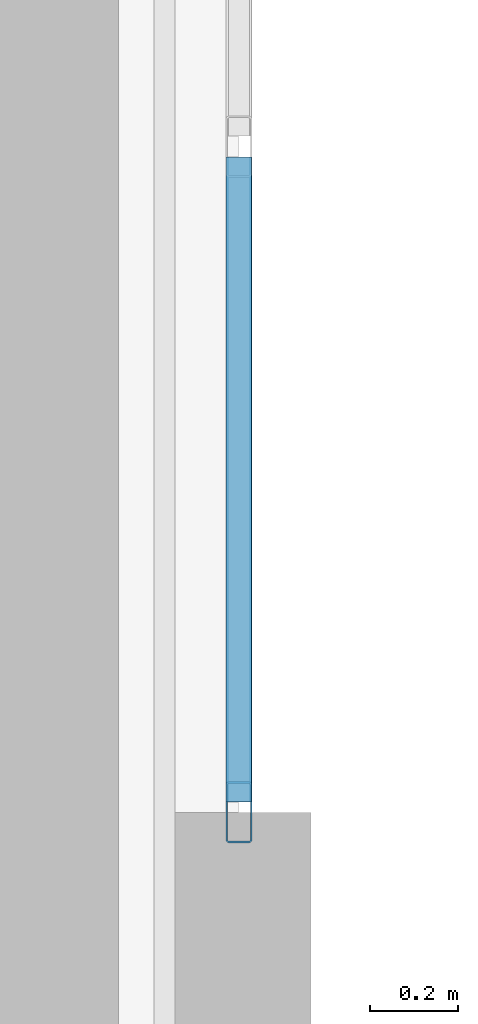
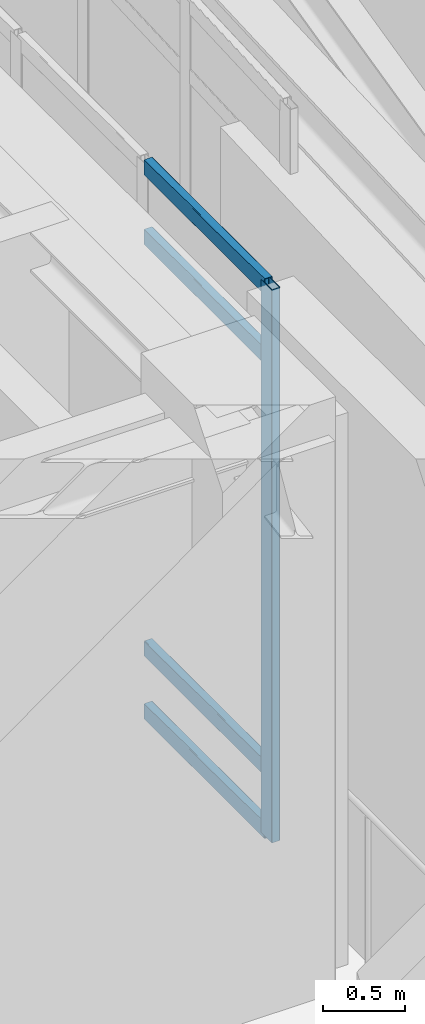
# One storey, part 4 of 19: 5 members, 1 element without a shape of its own.
"""IFC4 building model written with IfcOpenShell, lengths in metres."""

import ifcopenshell
import ifcopenshell.guid

model = None  # the IFC model being written
_history = None  # IfcOwnerHistory: only IFC2X3 demands one
_inside = {}  # id of a spatial element -> (the spatial element, [elements in it])
_under = {}  # id of a project, library or spatial element -> (it, [spatial elements below it])
_declared = {}  # id of a project -> (the project, [libraries it declares])
_typed = {}  # id of a type object -> (the type object, [elements of that type])
_made_of = {}  # id of a material, layer set ... -> (it, [elements and type objects made of it])


def new_model(schema):
    """Start an empty IFC model of exactly this schema.

    Asked for "IFC4X3", IfcOpenShell would pick the latest addendum, in which some entities
    have other attributes; the version numbers below select the first issue.
    IFC2X3 requires an IfcOwnerHistory on every rooted entity: one is made here for all.
    """
    global model, _history
    if schema == "IFC4X3":
        model = ifcopenshell.file(schema_version=(4, 3, 0, 0))
    else:
        model = ifcopenshell.file(schema=schema)
    _inside.clear()
    _under.clear()
    _declared.clear()
    _typed.clear()
    _made_of.clear()
    _history = None
    if model.schema == "IFC2X3":
        org = make("IfcOrganization", Name="unknown")
        user = make(
            "IfcPersonAndOrganization",
            ThePerson=make("IfcPerson", FamilyName="unknown"),
            TheOrganization=org,
        )
        app = make(
            "IfcApplication",
            ApplicationDeveloper=org,
            Version="unknown",
            ApplicationFullName="unknown",
            ApplicationIdentifier="unknown",
        )
        _history = make(
            "IfcOwnerHistory",
            OwningUser=user,
            OwningApplication=app,
            ChangeAction="ADDED",
            CreationDate=0,
        )
    return model


def make(cls, **values):
    """One entity of the class cls with the attributes given. An attribute that is None is left unset."""
    return model.create_entity(
        cls, **{name: value for name, value in values.items() if value is not None}
    )


def rooted(cls, **values):
    """An entity with a GlobalId (a new one), such as an element, a storey or a relation."""
    return make(cls, GlobalId=ifcopenshell.guid.new(), OwnerHistory=_history, **values)


def si_unit(unit_type, name, prefix=None):
    """IfcSIUnit, for example si_unit("LENGTHUNIT", "METRE", prefix="MILLI")."""
    return make("IfcSIUnit", UnitType=unit_type, Prefix=prefix, Name=name)


def assignment(units):
    """IfcUnitAssignment: the units of a project."""
    return None if units is None else make("IfcUnitAssignment", Units=units)


def point(xyz):
    """IfcCartesianPoint."""
    return None if xyz is None else make("IfcCartesianPoint", Coordinates=xyz)


def direction(xyz):
    """IfcDirection."""
    return None if xyz is None else make("IfcDirection", DirectionRatios=xyz)


def frame(location, z_axis=None, x_axis=None):
    """IfcAxis2Placement3D, a coordinate frame: its origin and axes. An axis left out is left unset."""
    return make(
        "IfcAxis2Placement3D",
        Location=point(location),
        Axis=direction(z_axis),
        RefDirection=direction(x_axis),
    )


def frame_2d(location, x_axis=None):
    """IfcAxis2Placement2D, a coordinate frame in the plane: its origin and x axis."""
    return make(
        "IfcAxis2Placement2D", Location=point(location), RefDirection=direction(x_axis)
    )


def origin():
    """The frame at (0, 0, 0) with its axes left unset."""
    return frame((0.0, 0.0, 0.0))


def origin_2d():
    """The frame at (0, 0) in the plane with its x axis left unset."""
    return frame_2d((0.0, 0.0))


def place(relative_to, where):
    """IfcLocalPlacement: puts the frame where relative to a parent placement (None: the world)."""
    return make(
        "IfcLocalPlacement", PlacementRelTo=relative_to, RelativePlacement=where
    )


def context(
    kind, dimensions, precision=None, world=None, true_north=None, identifier=None
):
    """IfcGeometricRepresentationContext, for example the 3D "Model" context."""
    return make(
        "IfcGeometricRepresentationContext",
        ContextIdentifier=identifier,
        ContextType=kind,
        CoordinateSpaceDimension=dimensions,
        Precision=precision,
        WorldCoordinateSystem=world,
        TrueNorth=true_north,
    )


def subcontext(parent, identifier, kind, view, scale=None):
    """IfcGeometricRepresentationSubContext, for example "Body" below "Model"."""
    return make(
        "IfcGeometricRepresentationSubContext",
        ContextIdentifier=identifier,
        ContextType=kind,
        ParentContext=parent,
        TargetScale=scale,
        TargetView=view,
    )


def project(units=None, contexts=None):
    """IfcProject with its units and contexts."""
    return rooted(
        "IfcProject",
        Name="project",
        RepresentationContexts=contexts,
        UnitsInContext=assignment(units),
    )


def spatial(cls, under=None, at=None, **own):
    """A site, building, storey or space (cls), placed at a placement, below another one or the project."""
    s = rooted(cls, ObjectPlacement=at, **own)
    if under is not None:
        _under.setdefault(under.id(), (under, []))[1].append(s)
    return s


def profile(cls, at=None, kind="AREA", **sizes):
    """A parametric profile (cls). Its sizes go by their IFC names, for example OverallWidth=200.0."""
    return make(cls, ProfileType=kind, Position=at, **sizes)


def hollow_rectangle(**sizes):
    """IfcRectangleHollowProfileDef."""
    return profile("IfcRectangleHollowProfileDef", **sizes)


def extrude(swept, where, along, depth):
    """IfcExtrudedAreaSolid: the profile swept, set in the frame where, extruded along a direction by depth."""
    return make(
        "IfcExtrudedAreaSolid",
        SweptArea=swept,
        Position=where,
        ExtrudedDirection=direction(along),
        Depth=depth,
    )


def shape(context_of_items, identifier, shape_type, items):
    """IfcShapeRepresentation: the items that make up one representation, for example the "Body"."""
    return make(
        "IfcShapeRepresentation",
        ContextOfItems=context_of_items,
        RepresentationIdentifier=identifier,
        RepresentationType=shape_type,
        Items=items,
    )


def material(Name=None, Category=None):
    """IfcMaterial."""
    return make("IfcMaterial", Name=Name, Category=Category)


def layer(
    of_material, thickness, ventilated=None, Name=None, Category=None, Priority=None
):
    """IfcMaterialLayer: one layer of a wall or slab, of a material (None: an air gap)."""
    return make(
        "IfcMaterialLayer",
        Material=of_material,
        LayerThickness=thickness,
        IsVentilated=ventilated,
        Name=Name,
        Category=Category,
        Priority=Priority,
    )


def layer_set(layers, Name=None):
    """IfcMaterialLayerSet."""
    return make("IfcMaterialLayerSet", MaterialLayers=layers, LayerSetName=Name)


def material_profile(
    of_material, cross_section, Name=None, Category=None, Priority=None
):
    """IfcMaterialProfile: a cross section and its material."""
    return make(
        "IfcMaterialProfile",
        Name=Name,
        Material=of_material,
        Profile=cross_section,
        Priority=Priority,
        Category=Category,
    )


def profile_set(profiles, Name=None, composite=None):
    """IfcMaterialProfileSet."""
    return make(
        "IfcMaterialProfileSet",
        Name=Name,
        MaterialProfiles=profiles,
        CompositeProfile=composite,
    )


def made_of(thing, what):
    """Note that an element or type object is made of a material, layer set ...; save() writes the relation."""
    if what is not None:
        _made_of.setdefault(what.id(), (what, []))[1].append(thing)
    return thing


def type_object(cls, material=None, **own):
    """A type object (cls), such as IfcWallType, which elements share."""
    return made_of(rooted(cls, **own), material)


def element(
    cls,
    number,
    at=None,
    inside=None,
    cuts=None,
    type_object=None,
    material=None,
    context=None,
    identifier="Body",
    shape_type=None,
    held_by="IfcProductDefinitionShape",
    body=None,
    shapes=None,
    **own,
):
    """One element of the class cls, such as IfcWall. Its Tag is "e" and its number.

    at: its placement. inside: the storey or other place that contains it. cuts: it is an
    opening in that element (IfcRelVoidsElement). A single representation is given by context,
    identifier, shape_type and body (its items); several are given by shapes. held_by: the class
    of the entity that holds the representations. save() writes the other relations.
    """
    e = rooted(cls, Tag="e%d" % number, ObjectPlacement=at, **own)
    if body is not None:
        shapes = [shape(context, identifier, shape_type, body)]
    if shapes is not None:
        e.Representation = make(held_by, Representations=shapes)
    if inside is not None:
        _inside.setdefault(inside.id(), (inside, []))[1].append(e)
    if cuts is not None:
        rooted(
            "IfcRelVoidsElement", RelatingBuildingElement=cuts, RelatedOpeningElement=e
        )
    if type_object is not None:
        _typed.setdefault(type_object.id(), (type_object, []))[1].append(e)
    return made_of(e, material)


def aggregate(whole, parts):
    """IfcRelAggregates: a whole, such as a stair, and the parts it consists of."""
    return rooted("IfcRelAggregates", RelatingObject=whole, RelatedObjects=parts)


def save(model, path):
    """Write the relations noted so far, then the file.

    IfcRelAggregates (storeys below a building ...), IfcRelContainedInSpatialStructure (elements
    in a storey), IfcRelDefinesByType, IfcRelAssociatesMaterial and IfcRelDeclares: one each for
    every whole, place, type object, material and project.
    """
    for whole, parts in _under.values():
        aggregate(whole, parts)
    for where, things in _inside.values():
        rooted(
            "IfcRelContainedInSpatialStructure",
            RelatedElements=things,
            RelatingStructure=where,
        )
    for kind, things in _typed.values():
        rooted("IfcRelDefinesByType", RelatedObjects=things, RelatingType=kind)
    for what, things in _made_of.values():
        rooted("IfcRelAssociatesMaterial", RelatedObjects=things, RelatingMaterial=what)
    for by, libraries in _declared.values():
        rooted("IfcRelDeclares", RelatingContext=by, RelatedDefinitions=libraries)
    model.write(path)


model = new_model("IFC4")

# Units and contexts
model_context = context("Model", 3, precision=1e-05, world=origin(), true_north=direction((0.0, 1.0)))
body_context = subcontext(model_context, "Body", "Model", "MODEL_VIEW")
ifc_project = project(units=[si_unit("LENGTHUNIT", "METRE"), si_unit("AREAUNIT", "SQUARE_METRE"), si_unit("VOLUMEUNIT", "CUBIC_METRE"), si_unit("PLANEANGLEUNIT", "RADIAN"), si_unit("MASSUNIT", "GRAM", prefix="KILO")], contexts=[model_context])

# Site, building, storey
site_placement = place(None, origin())
site = spatial("IfcSite", under=ifc_project, at=site_placement, CompositionType="ELEMENT")
building_placement = place(site_placement, origin())
building = spatial("IfcBuilding", under=site, at=building_placement, Name="Ndelora Gate Hotel", CompositionType="ELEMENT")
storey_placement = place(building_placement, frame((0.0, 0.0, 294.800048828125)))
storey = spatial("IfcBuildingStorey", under=building, at=storey_placement, Name="L73", CompositionType="ELEMENT", Elevation=294.800048828125)

# Curtain wall, members
ifc_material_1 = material(Name="Bronze Anodised Unitised Aluminium and Low-E Glass", Category="aluminium")
ifc_layer = layer(ifc_material_1, 0.199951171875)
ifc_layer_set = layer_set([ifc_layer], Name="Bronze Anodised Unitised Aluminium and Low-E Glass")
curtain_wall_type = type_object("IfcCurtainWallType", Name="CW-SYS-8", PredefinedType="NOTDEFINED", material=ifc_layer_set)
curtain_wall_placement = place(storey_placement, origin())
curtain_wall = element("IfcCurtainWall", 1, at=curtain_wall_placement, inside=storey, type_object=curtain_wall_type, Name="L73 Split-Crown West Cleft Lantern Curtain Wall CW8-1", PredefinedType="NOTDEFINED")
ifc_material_2 = material(Name="Bronze Anodised Aluminium 6063-T6", Category="aluminium")
ifc_material_profile_1 = material_profile(ifc_material_2, hollow_rectangle(XDim=0.06005859375, YDim=0.139892578125, WallThickness=0.00390625, InnerFilletRadius=0.00390625, OuterFilletRadius=0.008056640625, at=origin_2d()), Name="ALU 140x60x4")
ifc_profile_set_1 = profile_set([ifc_material_profile_1], Name="Bronze Anodised Aluminium 6063-T6")
member_type_1 = type_object("IfcMemberType", Name="MB-CW-MUL140", PredefinedType="MULLION", material=ifc_profile_set_1)
member_1_placement = place(storey_placement, frame((8.85009765625, -5.52001953125, -0.004150390625), z_axis=(0.0, 0.0, 1.0), x_axis=(-1.0, 0.0, 0.0)))
member_1 = element("IfcMember", 2, at=member_1_placement, type_object=member_type_1, Name="CW8 mullion 1", PredefinedType="MULLION", context=body_context, shape_type="SweptSolid", body=[
    extrude(hollow_rectangle(XDim=0.06005859375, YDim=0.139892578125, WallThickness=0.00390625, InnerFilletRadius=0.00390625, OuterFilletRadius=0.008056640625, at=origin_2d()), origin(), (0.0, 0.0, 1.0), 4.13818359375),
])
ifc_material_profile_2 = material_profile(ifc_material_2, hollow_rectangle(XDim=0.06005859375, YDim=0.1201171875, WallThickness=0.00390625, InnerFilletRadius=0.00390625, OuterFilletRadius=0.008056640625, at=origin_2d()), Name="ALU 120x60x4")
ifc_profile_set_2 = profile_set([ifc_material_profile_2], Name="Bronze Anodised Aluminium 6063-T6")
member_type_2 = type_object("IfcMemberType", Name="MB-CW-TRN120", PredefinedType="USERDEFINED", material=ifc_profile_set_2)
member_2_placement = place(storey_placement, frame((8.85009765625, -5.49609375, 0.030029296875), z_axis=(0.0, 1.0, 0.0), x_axis=(-1.0, 0.0, 0.0)))
member_2 = element("IfcMember", 3, at=member_2_placement, type_object=member_type_2, Name="CW8 transom 1.1", ObjectType="TRANSOM", PredefinedType="USERDEFINED", context=body_context, shape_type="SweptSolid", body=[
    extrude(hollow_rectangle(XDim=0.06005859375, YDim=0.1201171875, WallThickness=0.00390625, InnerFilletRadius=0.00390625, OuterFilletRadius=0.008056640625, at=origin_2d()), origin(), (0.0, 0.0, 1.0), 1.47216796875),
])
member_3_placement = place(storey_placement, frame((8.85009765625, -5.49609375, 0.5), z_axis=(0.0, 1.0, 0.0), x_axis=(-1.0, 0.0, 0.0)))
member_3 = element("IfcMember", 4, at=member_3_placement, type_object=member_type_2, Name="CW8 transom 1.2", ObjectType="TRANSOM", PredefinedType="USERDEFINED", context=body_context, shape_type="SweptSolid", body=[
    extrude(hollow_rectangle(XDim=0.06005859375, YDim=0.1201171875, WallThickness=0.00390625, InnerFilletRadius=0.00390625, OuterFilletRadius=0.008056640625, at=origin_2d()), origin(), (0.0, 0.0, 1.0), 1.47216796875),
])
member_4_placement = place(storey_placement, frame((8.85009765625, -5.49609375, 3.579833984375), z_axis=(0.0, 1.0, 0.0), x_axis=(-1.0, 0.0, 0.0)))
member_4 = element("IfcMember", 5, at=member_4_placement, type_object=member_type_2, Name="CW8 transom 1.3", ObjectType="TRANSOM", PredefinedType="USERDEFINED", context=body_context, shape_type="SweptSolid", body=[
    extrude(hollow_rectangle(XDim=0.06005859375, YDim=0.1201171875, WallThickness=0.00390625, InnerFilletRadius=0.00390625, OuterFilletRadius=0.008056640625, at=origin_2d()), origin(), (0.0, 0.0, 1.0), 1.47216796875),
])
member_5_placement = place(storey_placement, frame((8.85009765625, -5.49609375, 4.099853515625), z_axis=(0.0, 1.0, 0.0), x_axis=(-1.0, 0.0, 0.0)))
member_5 = element("IfcMember", 6, at=member_5_placement, type_object=member_type_2, Name="CW8 transom 1.4", ObjectType="TRANSOM", PredefinedType="USERDEFINED", context=body_context, shape_type="SweptSolid", body=[
    extrude(hollow_rectangle(XDim=0.06005859375, YDim=0.1201171875, WallThickness=0.00390625, InnerFilletRadius=0.00390625, OuterFilletRadius=0.008056640625, at=origin_2d()), origin(), (0.0, 0.0, 1.0), 1.47216796875),
])
aggregate(curtain_wall, [member_1, member_2, member_3, member_4, member_5])

save(model, "model.ifc")
